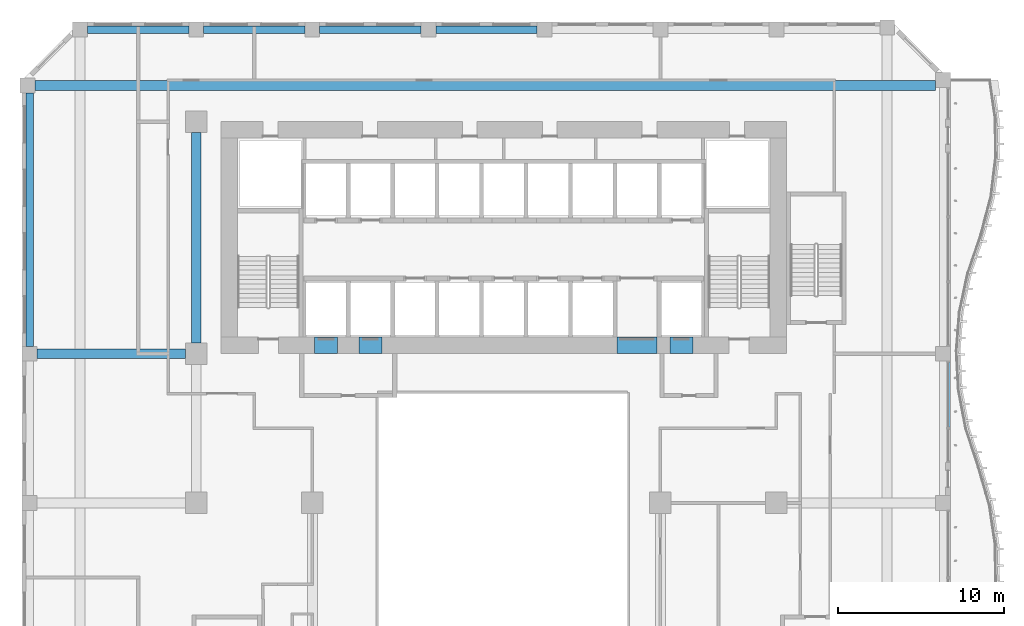
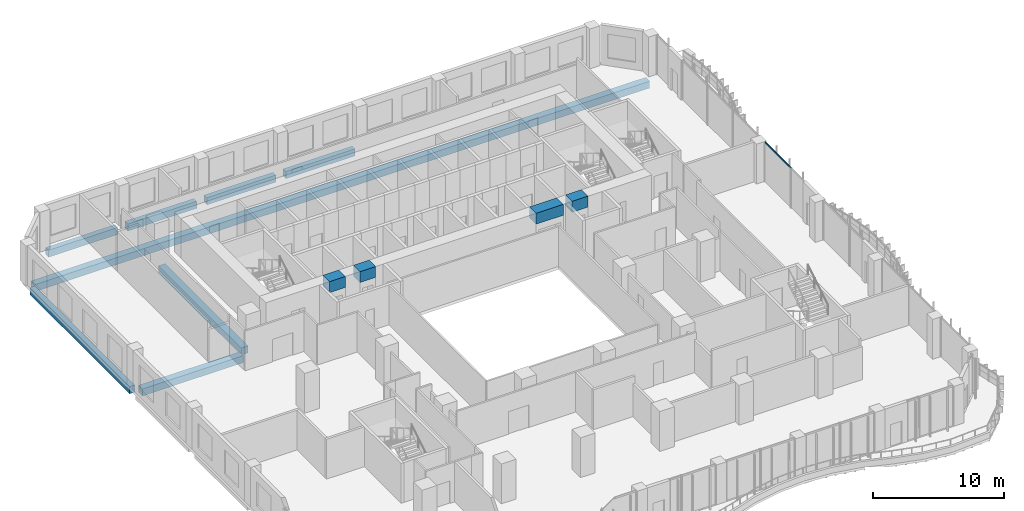
# One storey, part 9 of 26: 12 beams, 1 member, 1 element without a shape of its own.
"""IFC4 building model written with IfcOpenShell, lengths in metres."""

from ifc_helpers import new_model, si_unit, direction, frame, origin, origin_2d, place, context, subcontext, project, spatial, rectangle, extrude, source, transform, mapped, material, material_profile, profile_set, type_object, element, aggregate, save


model = new_model("IFC4")

# Units and contexts
model_context = context("Model", 3, precision=1e-05, world=origin(), true_north=direction((0.0, 1.0)))
body_context = subcontext(model_context, "Body", "Model", "MODEL_VIEW")
ifc_project = project(units=[si_unit("LENGTHUNIT", "METRE"), si_unit("AREAUNIT", "SQUARE_METRE"), si_unit("VOLUMEUNIT", "CUBIC_METRE"), si_unit("PLANEANGLEUNIT", "RADIAN"), si_unit("MASSUNIT", "GRAM", prefix="KILO")], contexts=[model_context])

# Site, building, storey
site_placement = place(None, origin())
site = spatial("IfcSite", under=ifc_project, at=site_placement, CompositionType="ELEMENT")
building_placement = place(site_placement, origin())
building = spatial("IfcBuilding", under=site, at=building_placement, Name="Kilnfold Tower and Market Hall", CompositionType="ELEMENT")
storey_placement = place(building_placement, frame((0.0, 0.0, 31.0)))
storey = spatial("IfcBuildingStorey", under=building, at=storey_placement, Name="L06", CompositionType="ELEMENT", Elevation=31.0)

# Beams
ifc_material_1 = material(Name="Concrete C45", Category="concrete")
ifc_material_profile_1 = material_profile(ifc_material_1, rectangle(XDim=0.449951171875, YDim=0.64990234375, at=origin_2d()), Name="RC 450x650")
ifc_profile_set_1 = profile_set([ifc_material_profile_1], Name="Concrete C45")
beam_type_1 = type_object("IfcBeamType", Name="EDGE BEAM 450X650 C45", PredefinedType="BEAM", material=ifc_profile_set_1)
shared_shape_1 = source(origin(), body_context, "Body", "SweptSolid", [
    extrude(rectangle(XDim=0.449951171875, YDim=0.64990234375, at=origin_2d()), origin(), (0.0, 0.0, 1.0), 6.10009765625),
])
for number, where, z_axis, x_axis, name in (
    (1, (-24.050048828125, 27.550048828125, -0.60498046875), (1.0, 0.0, 0.0), (0.0, 1.0, 0.0), "Beam EB650-B1.23"),
    (2, (-17.050048828125, 27.550048828125, -0.60498046875), (1.0, 0.0, 0.0), (0.0, 1.0, 0.0), "Beam EB650-B1.24"),
    (3, (-10.050048828125, 27.550048828125, -0.60498046875), (1.0, 0.0, 0.0), (0.0, 1.0, 0.0), "Beam EB650-B1.25"),
    (4, (-3.050048828125, 27.550048828125, -0.60498046875), (1.0, 0.0, 0.0), (0.0, 1.0, 0.0), "Beam EB650-B1.26"),
):
    element("IfcBeam", number, at=place(storey_placement, frame(where, z_axis=z_axis, x_axis=x_axis)), inside=storey, type_object=beam_type_1, Name=name, PredefinedType="BEAM", context=body_context, shape_type="MappedRepresentation", body=[
        mapped(shared_shape_1, transform((0.0, 0.0, 0.0))),
    ])
ifc_material_2 = material(Name="Concrete C45", Category="concrete")
ifc_material_profile_2 = material_profile(ifc_material_2, rectangle(XDim=0.60009765625, YDim=0.64990234375, at=origin_2d()), Name="RC 600x650")
ifc_profile_set_2 = profile_set([ifc_material_profile_2], Name="Concrete C45")
beam_type_2 = type_object("IfcBeamType", Name="BEAM 600X650 C45", PredefinedType="BEAM", material=ifc_profile_set_2)
shared_shape_2 = source(origin(), body_context, "Body", "SweptSolid", [
    extrude(rectangle(XDim=0.60009765625, YDim=0.64990234375, at=origin_2d()), origin(), (0.0, 0.0, 1.0), 8.9501953125),
])
beam_1_placement = place(storey_placement, frame((-27.10009765625, 8.0, -0.60498046875), z_axis=(1.0, 0.0, 0.0), x_axis=(0.0, 1.0, 0.0)))
element("IfcBeam", 5, at=beam_1_placement, inside=storey, type_object=beam_type_2, Name="Beam BB650-B1.21", PredefinedType="BEAM", context=body_context, shape_type="MappedRepresentation", body=[
    mapped(shared_shape_2, transform((0.0, 0.0, 0.0))),
])
shared_shape_3 = source(origin(), body_context, "Body", "SweptSolid", [
    extrude(rectangle(XDim=0.60009765625, YDim=0.64990234375, at=origin_2d()), origin(), (0.0, 0.0, 1.0), 54.331787109375),
])
beam_2_placement = place(storey_placement, frame((-27.231689453125, 24.179931640625, -0.60498046875), z_axis=(1.0, 0.0, 0.0), x_axis=(0.0, 1.0, 0.0)))
element("IfcBeam", 6, at=beam_2_placement, inside=storey, type_object=beam_type_2, Name="Beam BB650-B1.22", PredefinedType="BEAM", context=body_context, shape_type="MappedRepresentation", body=[
    mapped(shared_shape_3, transform((0.0, 0.0, 0.0))),
])
shared_shape_4 = source(origin(), body_context, "Body", "SweptSolid", [
    extrude(rectangle(XDim=0.449951171875, YDim=0.64990234375, at=origin_2d()), origin(), (0.0, 0.0, 1.0), 15.28173828125),
])
beam_3_placement = place(storey_placement, frame((-27.550048828125, 8.449951171875, -0.60498046875), z_axis=(0.0, 1.0, 0.0), x_axis=(-1.0, 0.0, 0.0)))
element("IfcBeam", 7, at=beam_3_placement, inside=storey, type_object=beam_type_1, Name="Beam EB650-B1.34", PredefinedType="BEAM", context=body_context, shape_type="MappedRepresentation", body=[
    mapped(shared_shape_4, transform((0.0, 0.0, 0.0))),
])
shared_shape_5 = source(origin(), body_context, "Body", "SweptSolid", [
    extrude(rectangle(XDim=0.60009765625, YDim=0.64990234375, at=origin_2d()), origin(), (0.0, 0.0, 1.0), 12.7001953125),
])
beam_4_placement = place(storey_placement, frame((-17.5, 8.64990234375, -0.60498046875), z_axis=(0.0, 1.0, 0.0), x_axis=(-1.0, 0.0, 0.0)))
element("IfcBeam", 8, at=beam_4_placement, inside=storey, type_object=beam_type_2, Name="Beam BB650-B1.38", PredefinedType="BEAM", context=body_context, shape_type="MappedRepresentation", body=[
    mapped(shared_shape_5, transform((0.0, 0.0, 0.0))),
])
ifc_material_3 = material(Name="Concrete C80", Category="concrete")
ifc_material_profile_3 = material_profile(ifc_material_3, rectangle(XDim=1.0, YDim=1.02001953125, at=origin_2d()), Name="RC 1000x1020")
ifc_profile_set_3 = profile_set([ifc_material_profile_3], Name="Concrete C80")
beam_type_3 = type_object("IfcBeamType", Name="COUPLING BEAM 1000X1020 C80", PredefinedType="BEAM", material=ifc_profile_set_3)
shared_shape_6 = source(origin(), body_context, "Body", "SweptSolid", [
    extrude(rectangle(XDim=1.0, YDim=1.02001953125, at=origin_2d()), origin(), (0.0, 0.0, 1.0), 1.400146484375),
])
beam_5_placement = place(storey_placement, frame((-10.3701171875, 8.5, 3.2099609375), z_axis=(1.0, 0.0, 0.0), x_axis=(0.0, 1.0, 0.0)))
element("IfcBeam", 9, at=beam_5_placement, inside=storey, type_object=beam_type_3, Name="Coupling beam CB1020-80-CORE.42", PredefinedType="BEAM", context=body_context, shape_type="MappedRepresentation", body=[
    mapped(shared_shape_6, transform((0.0, 0.0, 0.0))),
])
shared_shape_7 = source(origin(), body_context, "Body", "SweptSolid", [
    extrude(rectangle(XDim=1.0, YDim=1.02001953125, at=origin_2d()), origin(), (0.0, 0.0, 1.0), 1.39990234375),
])
for number, where, z_axis, x_axis, name in (
    (10, (-7.68994140625, 8.5, 3.2099609375), (1.0, 0.0, 0.0), (0.0, 1.0, 0.0), "Coupling beam CB1020-80-CORE.43"),
    (11, (11.070068359375, 8.5, 3.2099609375), (1.0, 0.0, 0.0), (0.0, 1.0, 0.0), "Coupling beam CB1020-80-CORE.45"),
):
    element("IfcBeam", number, at=place(storey_placement, frame(where, z_axis=z_axis, x_axis=x_axis)), inside=storey, type_object=beam_type_3, Name=name, PredefinedType="BEAM", context=body_context, shape_type="MappedRepresentation", body=[
        mapped(shared_shape_7, transform((0.0, 0.0, 0.0))),
    ])
shared_shape_8 = source(origin(), body_context, "Body", "SweptSolid", [
    extrude(rectangle(XDim=1.0, YDim=1.02001953125, at=origin_2d()), origin(), (0.0, 0.0, 1.0), 2.400146484375),
])
beam_6_placement = place(storey_placement, frame((7.889892578125, 8.5, 3.2099609375), z_axis=(1.0, 0.0, 0.0), x_axis=(0.0, 1.0, 0.0)))
element("IfcBeam", 12, at=beam_6_placement, inside=storey, type_object=beam_type_3, Name="Coupling beam CB1020-80-CORE.44", PredefinedType="BEAM", context=body_context, shape_type="MappedRepresentation", body=[
    mapped(shared_shape_8, transform((0.0, 0.0, 0.0))),
])

# Curtain wall, member
ifc_material_4 = material(Name="Aluminium and double glazing", Category="aluminium")
curtain_wall_type = type_object("IfcCurtainWallType", Name="CW OF1 VALLEY GLAZING", PredefinedType="NOTDEFINED", material=ifc_material_4)
curtain_wall_placement = place(storey_placement, origin())
curtain_wall = element("IfcCurtainWall", 13, at=curtain_wall_placement, inside=storey, type_object=curtain_wall_type, Name="Curtain wall CW1 L06 E", PredefinedType="NOTDEFINED")
ifc_material_5 = material(Name="Aluminium", Category="aluminium")
ifc_material_profile_4 = material_profile(ifc_material_5, rectangle(XDim=0.06005859375, YDim=0.139892578125, at=origin_2d()), Name="TRANSOM 60x140")
ifc_profile_set_4 = profile_set([ifc_material_profile_4], Name="Aluminium")
member_type = type_object("IfcMemberType", Name="TRANSOM 60X140", PredefinedType="USERDEFINED", material=ifc_profile_set_4)
shared_shape_9 = source(origin(), body_context, "Body", "SweptSolid", [
    extrude(rectangle(XDim=0.06005859375, YDim=0.139892578125, at=origin_2d()), origin(), (0.0, 0.0, 1.0), 3.929931640625),
])
member_placement = place(storey_placement, frame((27.85009765625, 3.56005859375, 3.68994140625), z_axis=(0.0, 1.0, 0.0), x_axis=(-1.0, 0.0, 0.0)))
member = element("IfcMember", 14, at=member_placement, type_object=member_type, Name="CW1 transom 1.2", ObjectType="TRANSOM", PredefinedType="USERDEFINED", context=body_context, shape_type="MappedRepresentation", body=[
    mapped(shared_shape_9, transform((0.0, 0.0, 0.0))),
])
aggregate(curtain_wall, [member])

save(model, "model.ifc")
